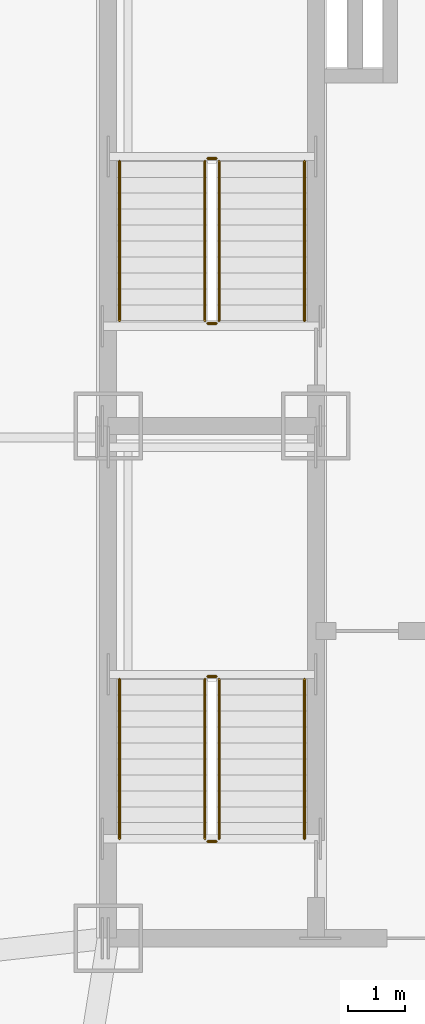
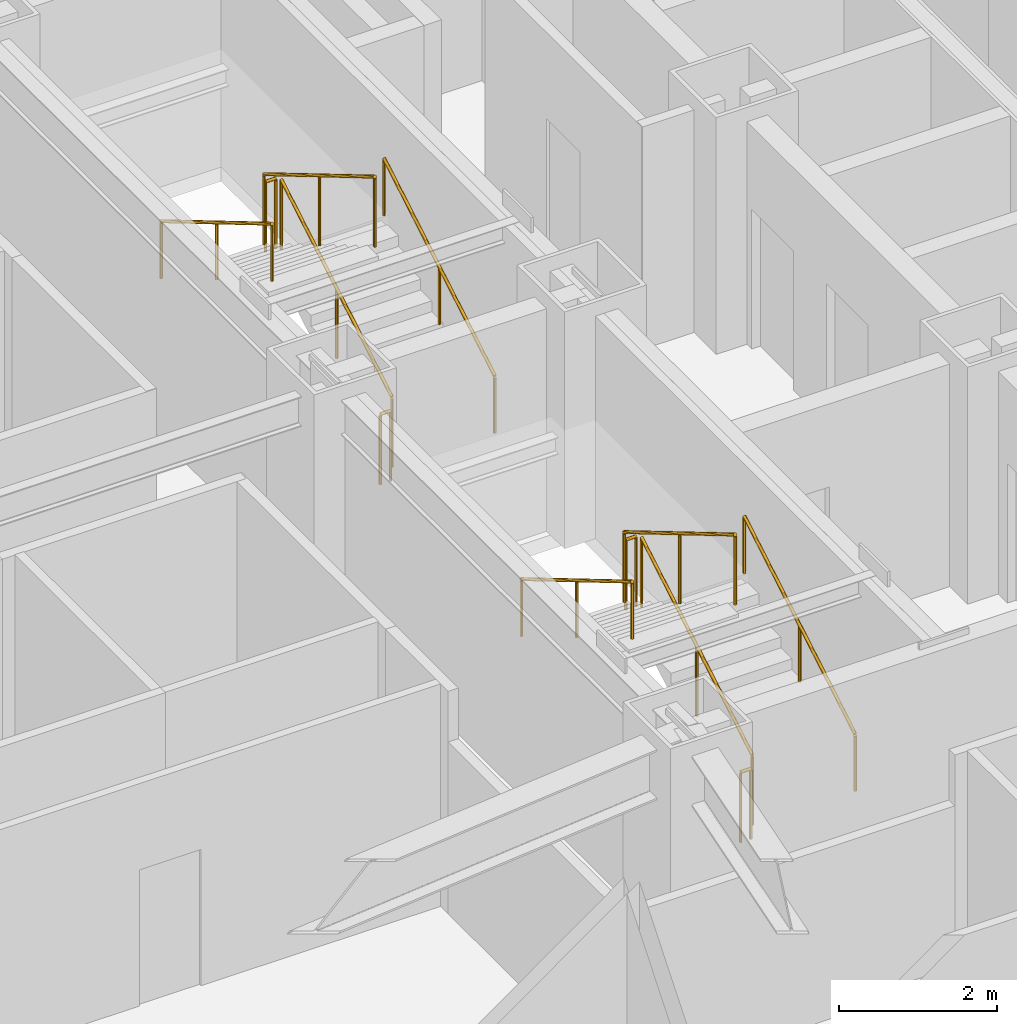
# One storey, part 10 of 10: 12 railings.
"""IFC4 building model written with IfcOpenShell, lengths in metres."""

from ifc_helpers import new_model, si_unit, direction, frame, origin, origin_2d, place, context, subcontext, project, spatial, circle, extrude, material, type_object, element, save


model = new_model("IFC4")

# Units and contexts
model_context = context("Model", 3, precision=1e-05, world=origin(), true_north=direction((0.0, 1.0)))
body_context = subcontext(model_context, "Body", "Model", "MODEL_VIEW")
ifc_project = project(units=[si_unit("LENGTHUNIT", "METRE"), si_unit("AREAUNIT", "SQUARE_METRE"), si_unit("VOLUMEUNIT", "CUBIC_METRE"), si_unit("PLANEANGLEUNIT", "RADIAN"), si_unit("MASSUNIT", "GRAM", prefix="KILO")], contexts=[model_context])

# Site, building, storey
site_placement = place(None, origin())
site = spatial("IfcSite", under=ifc_project, at=site_placement, CompositionType="ELEMENT")
building_placement = place(site_placement, origin())
building = spatial("IfcBuilding", under=site, at=building_placement, Name="Khamvora Tower", CompositionType="ELEMENT")
storey_placement = place(building_placement, frame((0.0, 0.0, 94.60009765625)))
storey = spatial("IfcBuildingStorey", under=building, at=storey_placement, Name="L23", CompositionType="ELEMENT", Elevation=94.60009765625)

# Railings
ifc_material_1 = material(Name="Brushed Stainless Steel 316", Category="steel")
railing_type_1 = type_object("IfcRailingType", Name="RAL-HDR-920", PredefinedType="HANDRAIL", material=ifc_material_1)
railing_1_placement = place(storey_placement, frame((32.449951171875, 20.75, 0.165771484375)))
element("IfcRailing", 1, at=railing_1_placement, inside=storey, type_object=railing_type_1, Name="L23 ST-01 stair handrail 1", PredefinedType="HANDRAIL", context=body_context, shape_type="SweptSolid", body=[
    extrude(circle(Radius=0.02392578125, at=origin_2d()), frame((0.0, 0.0, 0.8759765625), z_axis=(0.0, 0.860306154799, 0.50977771628), x_axis=(-1.0, 0.0, 0.0)), (0.0, 0.0, 1.0), 3.254638671875),
    extrude(circle(Radius=0.02099609375, at=origin_2d()), origin(), (0.0, 0.0, 1.0), 0.851806640625),
    extrude(circle(Radius=0.02099609375, at=origin_2d()), frame((0.0, 1.39990234375, 0.82958984375)), (0.0, 0.0, 1.0), 0.851806640625),
    extrude(circle(Radius=0.02099609375, at=origin_2d()), frame((0.0, 2.800048828125, 1.6591796875)), (0.0, 0.0, 1.0), 0.851806640625),
])
railing_2_placement = place(storey_placement, frame((29.199951171875, 23.550048828125, 1.99072265625)))
element("IfcRailing", 2, at=railing_2_placement, inside=storey, type_object=railing_type_1, Name="L23 ST-01 stair handrail 2", PredefinedType="HANDRAIL", context=body_context, shape_type="SweptSolid", body=[
    extrude(circle(Radius=0.02392578125, at=origin_2d()), frame((0.0, 0.0, 0.8759765625), z_axis=(0.0, -0.860306154799, 0.50977771628), x_axis=(1.0, 0.0, 0.0)), (0.0, 0.0, 1.0), 3.254638671875),
    extrude(circle(Radius=0.02099609375, at=origin_2d()), origin(), (0.0, 0.0, 1.0), 0.851806640625),
    extrude(circle(Radius=0.02099609375, at=origin_2d()), frame((0.0, -1.39990234375, 0.82958984375)), (0.0, 0.0, 1.0), 0.851806640625),
    extrude(circle(Radius=0.02099609375, at=origin_2d()), frame((0.0, -2.800048828125, 1.6591796875)), (0.0, 0.0, 1.0), 0.851806640625),
])
railing_3_placement = place(storey_placement, frame((32.449951171875, 29.85009765625, 0.165771484375)))
element("IfcRailing", 3, at=railing_3_placement, inside=storey, type_object=railing_type_1, Name="L23 ST-02 stair handrail 1", PredefinedType="HANDRAIL", context=body_context, shape_type="SweptSolid", body=[
    extrude(circle(Radius=0.02392578125, at=origin_2d()), frame((0.0, 0.0, 0.8759765625), z_axis=(0.0, 0.860286659441, 0.509810615413), x_axis=(-1.0, 0.0, 0.0)), (0.0, 0.0, 1.0), 3.25439453125),
    extrude(circle(Radius=0.02099609375, at=origin_2d()), origin(), (0.0, 0.0, 1.0), 0.851806640625),
    extrude(circle(Radius=0.02099609375, at=origin_2d()), frame((0.0, 1.39990234375, 0.82958984375)), (0.0, 0.0, 1.0), 0.851806640625),
    extrude(circle(Radius=0.02099609375, at=origin_2d()), frame((0.0, 2.7998046875, 1.6591796875)), (0.0, 0.0, 1.0), 0.851806640625),
])
railing_4_placement = place(storey_placement, frame((29.199951171875, 32.64990234375, 1.99072265625)))
element("IfcRailing", 4, at=railing_4_placement, inside=storey, type_object=railing_type_1, Name="L23 ST-02 stair handrail 2", PredefinedType="HANDRAIL", context=body_context, shape_type="SweptSolid", body=[
    extrude(circle(Radius=0.02392578125, at=origin_2d()), frame((0.0, 0.0, 0.8759765625), z_axis=(0.0, -0.860286659441, 0.509810615413), x_axis=(1.0, 0.0, 0.0)), (0.0, 0.0, 1.0), 3.25439453125),
    extrude(circle(Radius=0.02099609375, at=origin_2d()), origin(), (0.0, 0.0, 1.0), 0.851806640625),
    extrude(circle(Radius=0.02099609375, at=origin_2d()), frame((0.0, -1.39990234375, 0.82958984375)), (0.0, 0.0, 1.0), 0.851806640625),
    extrude(circle(Radius=0.02099609375, at=origin_2d()), frame((0.0, -2.7998046875, 1.6591796875)), (0.0, 0.0, 1.0), 0.851806640625),
])
ifc_material_2 = material(Name="Stainless Steel 316", Category="steel")
railing_type_2 = type_object("IfcRailingType", Name="RAL-STG-1100", PredefinedType="GUARDRAIL", material=ifc_material_2)
railing_5_placement = place(storey_placement, frame((30.949951171875, 20.75, 0.165771484375)))
element("IfcRailing", 5, at=railing_5_placement, inside=storey, type_object=railing_type_2, Name="L23 ST-01 stair guard 1", PredefinedType="GUARDRAIL", context=body_context, shape_type="SweptSolid", body=[
    extrude(circle(Radius=0.02392578125, at=origin_2d()), frame((0.0, 0.0, 1.076171875), z_axis=(0.0, 0.860306154799, 0.50977771628), x_axis=(-1.0, 0.0, 0.0)), (0.0, 0.0, 1.0), 3.254638671875),
    extrude(circle(Radius=0.02099609375, at=origin_2d()), origin(), (0.0, 0.0, 1.0), 1.052001953125),
    extrude(circle(Radius=0.02099609375, at=origin_2d()), frame((0.0, 1.39990234375, 0.82958984375)), (0.0, 0.0, 1.0), 1.052001953125),
    extrude(circle(Radius=0.02099609375, at=origin_2d()), frame((0.0, 2.800048828125, 1.6591796875)), (0.0, 0.0, 1.0), 1.052001953125),
])
railing_6_placement = place(storey_placement, frame((30.89990234375, 23.60009765625, 1.824951171875)))
element("IfcRailing", 6, at=railing_6_placement, inside=storey, type_object=railing_type_2, Name="L23 ST-01 stair guard 2", PredefinedType="GUARDRAIL", context=body_context, shape_type="SweptSolid", body=[
    extrude(circle(Radius=0.02392578125, at=origin_2d()), frame((0.0, 0.0, 1.076171875), z_axis=(-1.0, 0.0, 0.0), x_axis=(0.0, -1.0, 0.0)), (0.0, 0.0, 1.0), 0.14990234375),
    extrude(circle(Radius=0.02099609375, at=origin_2d()), origin(), (0.0, 0.0, 1.0), 1.052001953125),
    extrude(circle(Radius=0.02099609375, at=origin_2d()), frame((-0.14990234375, 0.0, 0.0)), (0.0, 0.0, 1.0), 1.052001953125),
])
railing_7_placement = place(storey_placement, frame((30.699951171875, 23.550048828125, 1.99072265625)))
element("IfcRailing", 7, at=railing_7_placement, inside=storey, type_object=railing_type_2, Name="L23 ST-01 stair guard 3", PredefinedType="GUARDRAIL", context=body_context, shape_type="SweptSolid", body=[
    extrude(circle(Radius=0.02392578125, at=origin_2d()), frame((0.0, 0.0, 1.076171875), z_axis=(0.0, -0.860306154799, 0.50977771628), x_axis=(1.0, 0.0, 0.0)), (0.0, 0.0, 1.0), 3.254638671875),
    extrude(circle(Radius=0.02099609375, at=origin_2d()), origin(), (0.0, 0.0, 1.0), 1.052001953125),
    extrude(circle(Radius=0.02099609375, at=origin_2d()), frame((0.0, -1.39990234375, 0.82958984375)), (0.0, 0.0, 1.0), 1.052001953125),
    extrude(circle(Radius=0.02099609375, at=origin_2d()), frame((0.0, -2.800048828125, 1.6591796875)), (0.0, 0.0, 1.0), 1.052001953125),
])
railing_8_placement = place(storey_placement, frame((30.89990234375, 20.699951171875, 0.0)))
element("IfcRailing", 8, at=railing_8_placement, inside=storey, type_object=railing_type_2, Name="L23 ST-01 stair guard 4", PredefinedType="GUARDRAIL", context=body_context, shape_type="SweptSolid", body=[
    extrude(circle(Radius=0.02392578125, at=origin_2d()), frame((0.0, 0.0, 1.076171875), z_axis=(-1.0, 0.0, 0.0), x_axis=(0.0, -1.0, 0.0)), (0.0, 0.0, 1.0), 0.14990234375),
    extrude(circle(Radius=0.02099609375, at=origin_2d()), origin(), (0.0, 0.0, 1.0), 1.052001953125),
    extrude(circle(Radius=0.02099609375, at=origin_2d()), frame((-0.14990234375, 0.0, 0.0)), (0.0, 0.0, 1.0), 1.052001953125),
])
railing_9_placement = place(storey_placement, frame((30.949951171875, 29.85009765625, 0.165771484375)))
element("IfcRailing", 9, at=railing_9_placement, inside=storey, type_object=railing_type_2, Name="L23 ST-02 stair guard 1", PredefinedType="GUARDRAIL", context=body_context, shape_type="SweptSolid", body=[
    extrude(circle(Radius=0.02392578125, at=origin_2d()), frame((0.0, 0.0, 1.076171875), z_axis=(0.0, 0.860286659441, 0.509810615413), x_axis=(-1.0, 0.0, 0.0)), (0.0, 0.0, 1.0), 3.25439453125),
    extrude(circle(Radius=0.02099609375, at=origin_2d()), origin(), (0.0, 0.0, 1.0), 1.052001953125),
    extrude(circle(Radius=0.02099609375, at=origin_2d()), frame((0.0, 1.39990234375, 0.82958984375)), (0.0, 0.0, 1.0), 1.052001953125),
    extrude(circle(Radius=0.02099609375, at=origin_2d()), frame((0.0, 2.7998046875, 1.6591796875)), (0.0, 0.0, 1.0), 1.052001953125),
])
railing_10_placement = place(storey_placement, frame((30.89990234375, 32.699951171875, 1.824951171875)))
element("IfcRailing", 10, at=railing_10_placement, inside=storey, type_object=railing_type_2, Name="L23 ST-02 stair guard 2", PredefinedType="GUARDRAIL", context=body_context, shape_type="SweptSolid", body=[
    extrude(circle(Radius=0.02392578125, at=origin_2d()), frame((0.0, 0.0, 1.076171875), z_axis=(-1.0, 0.0, 0.0), x_axis=(0.0, -1.0, 0.0)), (0.0, 0.0, 1.0), 0.14990234375),
    extrude(circle(Radius=0.02099609375, at=origin_2d()), origin(), (0.0, 0.0, 1.0), 1.052001953125),
    extrude(circle(Radius=0.02099609375, at=origin_2d()), frame((-0.14990234375, 0.0, 0.0)), (0.0, 0.0, 1.0), 1.052001953125),
])
railing_11_placement = place(storey_placement, frame((30.699951171875, 32.64990234375, 1.99072265625)))
element("IfcRailing", 11, at=railing_11_placement, inside=storey, type_object=railing_type_2, Name="L23 ST-02 stair guard 3", PredefinedType="GUARDRAIL", context=body_context, shape_type="SweptSolid", body=[
    extrude(circle(Radius=0.02392578125, at=origin_2d()), frame((0.0, 0.0, 1.076171875), z_axis=(0.0, -0.860286659441, 0.509810615413), x_axis=(1.0, 0.0, 0.0)), (0.0, 0.0, 1.0), 3.25439453125),
    extrude(circle(Radius=0.02099609375, at=origin_2d()), origin(), (0.0, 0.0, 1.0), 1.052001953125),
    extrude(circle(Radius=0.02099609375, at=origin_2d()), frame((0.0, -1.39990234375, 0.82958984375)), (0.0, 0.0, 1.0), 1.052001953125),
    extrude(circle(Radius=0.02099609375, at=origin_2d()), frame((0.0, -2.7998046875, 1.6591796875)), (0.0, 0.0, 1.0), 1.052001953125),
])
railing_12_placement = place(storey_placement, frame((30.89990234375, 29.800048828125, 0.0)))
element("IfcRailing", 12, at=railing_12_placement, inside=storey, type_object=railing_type_2, Name="L23 ST-02 stair guard 4", PredefinedType="GUARDRAIL", context=body_context, shape_type="SweptSolid", body=[
    extrude(circle(Radius=0.02392578125, at=origin_2d()), frame((0.0, 0.0, 1.076171875), z_axis=(-1.0, 0.0, 0.0), x_axis=(0.0, -1.0, 0.0)), (0.0, 0.0, 1.0), 0.14990234375),
    extrude(circle(Radius=0.02099609375, at=origin_2d()), origin(), (0.0, 0.0, 1.0), 1.052001953125),
    extrude(circle(Radius=0.02099609375, at=origin_2d()), frame((-0.14990234375, 0.0, 0.0)), (0.0, 0.0, 1.0), 1.052001953125),
])

save(model, "model.ifc")
